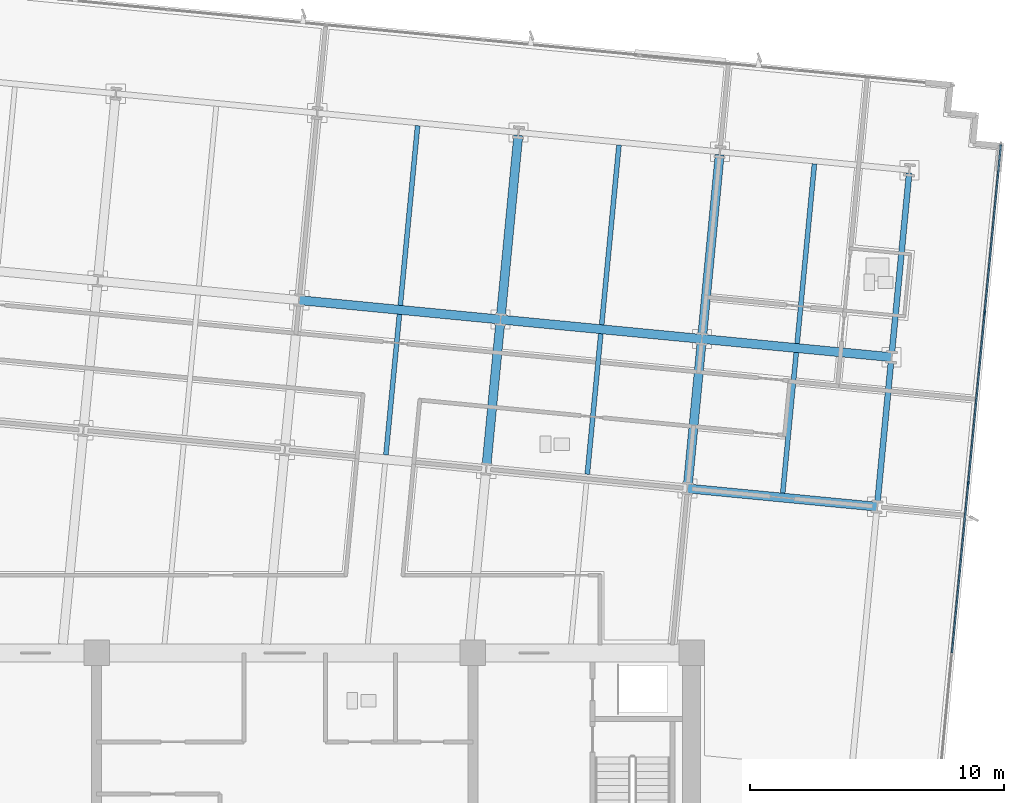
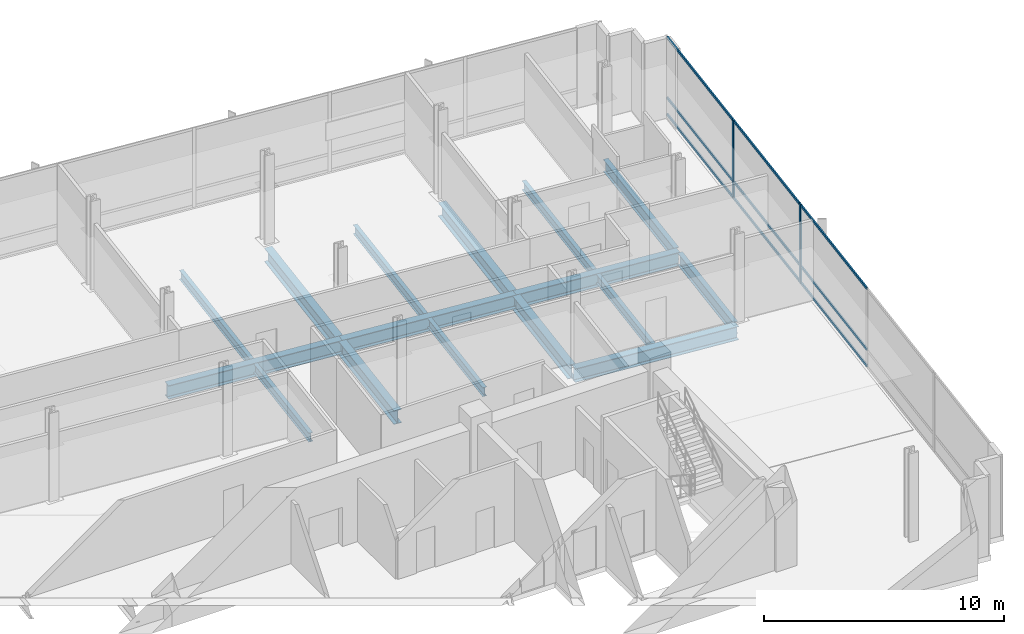
# One storey, part 7 of 17: 16 beams, 11 members, 1 element without a shape of its own.
"""IFC4 building model written with IfcOpenShell, lengths in metres."""

import ifcopenshell
import ifcopenshell.guid

model = None  # the IFC model being written
_history = None  # IfcOwnerHistory: only IFC2X3 demands one
_inside = {}  # id of a spatial element -> (the spatial element, [elements in it])
_under = {}  # id of a project, library or spatial element -> (it, [spatial elements below it])
_declared = {}  # id of a project -> (the project, [libraries it declares])
_typed = {}  # id of a type object -> (the type object, [elements of that type])
_made_of = {}  # id of a material, layer set ... -> (it, [elements and type objects made of it])


def new_model(schema):
    """Start an empty IFC model of exactly this schema.

    Asked for "IFC4X3", IfcOpenShell would pick the latest addendum, in which some entities
    have other attributes; the version numbers below select the first issue.
    IFC2X3 requires an IfcOwnerHistory on every rooted entity: one is made here for all.
    """
    global model, _history
    if schema == "IFC4X3":
        model = ifcopenshell.file(schema_version=(4, 3, 0, 0))
    else:
        model = ifcopenshell.file(schema=schema)
    _inside.clear()
    _under.clear()
    _declared.clear()
    _typed.clear()
    _made_of.clear()
    _history = None
    if model.schema == "IFC2X3":
        org = make("IfcOrganization", Name="unknown")
        user = make(
            "IfcPersonAndOrganization",
            ThePerson=make("IfcPerson", FamilyName="unknown"),
            TheOrganization=org,
        )
        app = make(
            "IfcApplication",
            ApplicationDeveloper=org,
            Version="unknown",
            ApplicationFullName="unknown",
            ApplicationIdentifier="unknown",
        )
        _history = make(
            "IfcOwnerHistory",
            OwningUser=user,
            OwningApplication=app,
            ChangeAction="ADDED",
            CreationDate=0,
        )
    return model


def make(cls, **values):
    """One entity of the class cls with the attributes given. An attribute that is None is left unset."""
    return model.create_entity(
        cls, **{name: value for name, value in values.items() if value is not None}
    )


def rooted(cls, **values):
    """An entity with a GlobalId (a new one), such as an element, a storey or a relation."""
    return make(cls, GlobalId=ifcopenshell.guid.new(), OwnerHistory=_history, **values)


def si_unit(unit_type, name, prefix=None):
    """IfcSIUnit, for example si_unit("LENGTHUNIT", "METRE", prefix="MILLI")."""
    return make("IfcSIUnit", UnitType=unit_type, Prefix=prefix, Name=name)


def assignment(units):
    """IfcUnitAssignment: the units of a project."""
    return None if units is None else make("IfcUnitAssignment", Units=units)


def point(xyz):
    """IfcCartesianPoint."""
    return None if xyz is None else make("IfcCartesianPoint", Coordinates=xyz)


def direction(xyz):
    """IfcDirection."""
    return None if xyz is None else make("IfcDirection", DirectionRatios=xyz)


def frame(location, z_axis=None, x_axis=None):
    """IfcAxis2Placement3D, a coordinate frame: its origin and axes. An axis left out is left unset."""
    return make(
        "IfcAxis2Placement3D",
        Location=point(location),
        Axis=direction(z_axis),
        RefDirection=direction(x_axis),
    )


def frame_2d(location, x_axis=None):
    """IfcAxis2Placement2D, a coordinate frame in the plane: its origin and x axis."""
    return make(
        "IfcAxis2Placement2D", Location=point(location), RefDirection=direction(x_axis)
    )


def origin():
    """The frame at (0, 0, 0) with its axes left unset."""
    return frame((0.0, 0.0, 0.0))


def origin_2d():
    """The frame at (0, 0) in the plane with its x axis left unset."""
    return frame_2d((0.0, 0.0))


def place(relative_to, where):
    """IfcLocalPlacement: puts the frame where relative to a parent placement (None: the world)."""
    return make(
        "IfcLocalPlacement", PlacementRelTo=relative_to, RelativePlacement=where
    )


def context(
    kind, dimensions, precision=None, world=None, true_north=None, identifier=None
):
    """IfcGeometricRepresentationContext, for example the 3D "Model" context."""
    return make(
        "IfcGeometricRepresentationContext",
        ContextIdentifier=identifier,
        ContextType=kind,
        CoordinateSpaceDimension=dimensions,
        Precision=precision,
        WorldCoordinateSystem=world,
        TrueNorth=true_north,
    )


def subcontext(parent, identifier, kind, view, scale=None):
    """IfcGeometricRepresentationSubContext, for example "Body" below "Model"."""
    return make(
        "IfcGeometricRepresentationSubContext",
        ContextIdentifier=identifier,
        ContextType=kind,
        ParentContext=parent,
        TargetScale=scale,
        TargetView=view,
    )


def project(units=None, contexts=None):
    """IfcProject with its units and contexts."""
    return rooted(
        "IfcProject",
        Name="project",
        RepresentationContexts=contexts,
        UnitsInContext=assignment(units),
    )


def spatial(cls, under=None, at=None, **own):
    """A site, building, storey or space (cls), placed at a placement, below another one or the project."""
    s = rooted(cls, ObjectPlacement=at, **own)
    if under is not None:
        _under.setdefault(under.id(), (under, []))[1].append(s)
    return s


def profile(cls, at=None, kind="AREA", **sizes):
    """A parametric profile (cls). Its sizes go by their IFC names, for example OverallWidth=200.0."""
    return make(cls, ProfileType=kind, Position=at, **sizes)


def rectangle(**sizes):
    """IfcRectangleProfileDef."""
    return profile("IfcRectangleProfileDef", **sizes)


def i_section(**sizes):
    """IfcIShapeProfileDef."""
    return profile("IfcIShapeProfileDef", **sizes)


def extrude(swept, where, along, depth):
    """IfcExtrudedAreaSolid: the profile swept, set in the frame where, extruded along a direction by depth."""
    return make(
        "IfcExtrudedAreaSolid",
        SweptArea=swept,
        Position=where,
        ExtrudedDirection=direction(along),
        Depth=depth,
    )


def shape(context_of_items, identifier, shape_type, items):
    """IfcShapeRepresentation: the items that make up one representation, for example the "Body"."""
    return make(
        "IfcShapeRepresentation",
        ContextOfItems=context_of_items,
        RepresentationIdentifier=identifier,
        RepresentationType=shape_type,
        Items=items,
    )


def material(Name=None, Category=None):
    """IfcMaterial."""
    return make("IfcMaterial", Name=Name, Category=Category)


def material_profile(
    of_material, cross_section, Name=None, Category=None, Priority=None
):
    """IfcMaterialProfile: a cross section and its material."""
    return make(
        "IfcMaterialProfile",
        Name=Name,
        Material=of_material,
        Profile=cross_section,
        Priority=Priority,
        Category=Category,
    )


def profile_set(profiles, Name=None, composite=None):
    """IfcMaterialProfileSet."""
    return make(
        "IfcMaterialProfileSet",
        Name=Name,
        MaterialProfiles=profiles,
        CompositeProfile=composite,
    )


def made_of(thing, what):
    """Note that an element or type object is made of a material, layer set ...; save() writes the relation."""
    if what is not None:
        _made_of.setdefault(what.id(), (what, []))[1].append(thing)
    return thing


def type_object(cls, material=None, **own):
    """A type object (cls), such as IfcWallType, which elements share."""
    return made_of(rooted(cls, **own), material)


def element(
    cls,
    number,
    at=None,
    inside=None,
    cuts=None,
    type_object=None,
    material=None,
    context=None,
    identifier="Body",
    shape_type=None,
    held_by="IfcProductDefinitionShape",
    body=None,
    shapes=None,
    **own,
):
    """One element of the class cls, such as IfcWall. Its Tag is "e" and its number.

    at: its placement. inside: the storey or other place that contains it. cuts: it is an
    opening in that element (IfcRelVoidsElement). A single representation is given by context,
    identifier, shape_type and body (its items); several are given by shapes. held_by: the class
    of the entity that holds the representations. save() writes the other relations.
    """
    e = rooted(cls, Tag="e%d" % number, ObjectPlacement=at, **own)
    if body is not None:
        shapes = [shape(context, identifier, shape_type, body)]
    if shapes is not None:
        e.Representation = make(held_by, Representations=shapes)
    if inside is not None:
        _inside.setdefault(inside.id(), (inside, []))[1].append(e)
    if cuts is not None:
        rooted(
            "IfcRelVoidsElement", RelatingBuildingElement=cuts, RelatedOpeningElement=e
        )
    if type_object is not None:
        _typed.setdefault(type_object.id(), (type_object, []))[1].append(e)
    return made_of(e, material)


def aggregate(whole, parts):
    """IfcRelAggregates: a whole, such as a stair, and the parts it consists of."""
    return rooted("IfcRelAggregates", RelatingObject=whole, RelatedObjects=parts)


def save(model, path):
    """Write the relations noted so far, then the file.

    IfcRelAggregates (storeys below a building ...), IfcRelContainedInSpatialStructure (elements
    in a storey), IfcRelDefinesByType, IfcRelAssociatesMaterial and IfcRelDeclares: one each for
    every whole, place, type object, material and project.
    """
    for whole, parts in _under.values():
        aggregate(whole, parts)
    for where, things in _inside.values():
        rooted(
            "IfcRelContainedInSpatialStructure",
            RelatedElements=things,
            RelatingStructure=where,
        )
    for kind, things in _typed.values():
        rooted("IfcRelDefinesByType", RelatedObjects=things, RelatingType=kind)
    for what, things in _made_of.values():
        rooted("IfcRelAssociatesMaterial", RelatedObjects=things, RelatingMaterial=what)
    for by, libraries in _declared.values():
        rooted("IfcRelDeclares", RelatingContext=by, RelatedDefinitions=libraries)
    model.write(path)


model = new_model("IFC4")

# Units and contexts
model_context = context("Model", 3, precision=1e-05, world=origin(), true_north=direction((0.0, 1.0)))
body_context = subcontext(model_context, "Body", "Model", "MODEL_VIEW")
ifc_project = project(units=[si_unit("LENGTHUNIT", "METRE"), si_unit("AREAUNIT", "SQUARE_METRE"), si_unit("VOLUMEUNIT", "CUBIC_METRE"), si_unit("PLANEANGLEUNIT", "RADIAN"), si_unit("MASSUNIT", "GRAM", prefix="KILO")], contexts=[model_context])

# Site, building, storey
site_placement = place(None, origin())
site = spatial("IfcSite", under=ifc_project, at=site_placement, CompositionType="ELEMENT")
building_placement = place(site_placement, origin())
building = spatial("IfcBuilding", under=site, at=building_placement, Name="Solmavex Isthmus Hotel", CompositionType="ELEMENT")
storey_placement = place(building_placement, frame((0.0, 0.0, 181.800048828125)))
storey = spatial("IfcBuildingStorey", under=building, at=storey_placement, Name="L49", CompositionType="ELEMENT", Elevation=181.800048828125)

# Beams
ifc_material_1 = material(Name="Steel ASTM A992 Grade 50", Category="steel")
ifc_material_profile_1 = material_profile(ifc_material_1, i_section(OverallWidth=0.354736328125, OverallDepth=0.695556640625, WebThickness=0.015380859375, FlangeThickness=0.02490234375, FilletRadius=0.017822265625, at=origin_2d()), Name="W27X146")
ifc_profile_set_1 = profile_set([ifc_material_profile_1], Name="Steel ASTM A992 Grade 50")
beam_type_1 = type_object("IfcBeamType", Name="BM-BG-W27X146", PredefinedType="BEAM", material=ifc_profile_set_1)
beam_1_placement = place(storey_placement, frame((15.840087890625, 3.96533203125, -0.60791015625), z_axis=(0.995394980007, -0.095858404835, 0.0), x_axis=(0.095858404835, 0.995394980007, 0.0)))
element("IfcBeam", 1, at=beam_1_placement, inside=storey, type_object=beam_type_1, Name="Floor Girder L49-UG08", PredefinedType="BEAM", context=body_context, shape_type="SweptSolid", body=[
    extrude(i_section(OverallWidth=0.354736328125, OverallDepth=0.695556640625, WebThickness=0.015380859375, FlangeThickness=0.02490234375, FilletRadius=0.017822265625, at=origin_2d()), origin(), (0.0, 0.0, 1.0), 7.48779296875),
])
beam_2_placement = place(storey_placement, frame((0.567626953125, 11.37109375, -0.60791015625), z_axis=(0.995397158178, -0.095835783981, 0.0), x_axis=(0.095835783981, 0.995397158178, 0.0)))
element("IfcBeam", 2, at=beam_2_placement, inside=storey, type_object=beam_type_1, Name="Floor Girder L49-UG12", PredefinedType="BEAM", context=body_context, shape_type="SweptSolid", body=[
    extrude(i_section(OverallWidth=0.354736328125, OverallDepth=0.695556640625, WebThickness=0.015380859375, FlangeThickness=0.02490234375, FilletRadius=0.017822265625, at=origin_2d()), origin(), (0.0, 0.0, 1.0), 7.955810546875),
])
beam_3_placement = place(storey_placement, frame((8.48681640625, 10.608642578125, -0.60791015625), z_axis=(0.995394512348, -0.095863260885, 0.0), x_axis=(0.095863260885, 0.995394512348, 0.0)))
element("IfcBeam", 3, at=beam_3_placement, inside=storey, type_object=beam_type_1, Name="Floor Girder L49-UG13", PredefinedType="BEAM", context=body_context, shape_type="SweptSolid", body=[
    extrude(i_section(OverallWidth=0.354736328125, OverallDepth=0.695556640625, WebThickness=0.015380859375, FlangeThickness=0.02490234375, FilletRadius=0.017822265625, at=origin_2d()), origin(), (0.0, 0.0, 1.0), 7.9560546875),
])
beam_4_placement = place(storey_placement, frame((16.40625, 9.845947265625, -0.60791015625), z_axis=(0.995398389938, -0.095822989454, 0.0), x_axis=(0.095822989454, 0.995398389938, 0.0)))
element("IfcBeam", 4, at=beam_4_placement, inside=storey, type_object=beam_type_1, Name="Floor Girder L49-UG14", PredefinedType="BEAM", context=body_context, shape_type="SweptSolid", body=[
    extrude(i_section(OverallWidth=0.354736328125, OverallDepth=0.695556640625, WebThickness=0.015380859375, FlangeThickness=0.02490234375, FilletRadius=0.017822265625, at=origin_2d()), origin(), (0.0, 0.0, 1.0), 7.488037109375),
])
beam_5_placement = place(storey_placement, frame((7.937744140625, 4.904296875, -0.60791015625), z_axis=(0.095842252862, 0.99539653534, 0.0), x_axis=(-0.99539653534, 0.095842252862, 0.0)))
element("IfcBeam", 5, at=beam_5_placement, inside=storey, type_object=beam_type_1, Name="Floor Beam L49-VG34", PredefinedType="BEAM", context=body_context, shape_type="SweptSolid", body=[
    extrude(i_section(OverallWidth=0.354736328125, OverallDepth=0.695556640625, WebThickness=0.015380859375, FlangeThickness=0.02490234375, FilletRadius=0.017822265625, at=origin_2d()), origin(), (0.0, 0.0, 1.0), 5.55322265625),
])
beam_6_placement = place(storey_placement, frame((8.50390625, 10.78515625, -0.60791015625), z_axis=(0.095842805175, 0.99539648216, 0.0), x_axis=(-0.99539648216, 0.095842805175, 0.0)))
element("IfcBeam", 6, at=beam_6_placement, inside=storey, type_object=beam_type_1, Name="Floor Beam L49-VG35", PredefinedType="BEAM", context=body_context, shape_type="SweptSolid", body=[
    extrude(i_section(OverallWidth=0.354736328125, OverallDepth=0.695556640625, WebThickness=0.015380859375, FlangeThickness=0.02490234375, FilletRadius=0.017822265625, at=origin_2d()), origin(), (0.0, 0.0, 1.0), 7.099365234375),
])
beam_7_placement = place(storey_placement, frame((15.85693359375, 4.141845703125, -0.60791015625), z_axis=(0.095842252862, 0.99539653534, 0.0), x_axis=(-0.99539653534, 0.095842252862, 0.0)))
element("IfcBeam", 7, at=beam_7_placement, inside=storey, type_object=beam_type_1, Name="Floor Beam L49-VG37", PredefinedType="BEAM", context=body_context, shape_type="SweptSolid", body=[
    extrude(i_section(OverallWidth=0.354736328125, OverallDepth=0.695556640625, WebThickness=0.015380859375, FlangeThickness=0.02490234375, FilletRadius=0.017822265625, at=origin_2d()), origin(), (0.0, 0.0, 1.0), 5.55322265625),
])
beam_8_placement = place(storey_placement, frame((16.42333984375, 10.022705078125, -0.60791015625), z_axis=(0.095842805175, 0.99539648216, 0.0), x_axis=(-0.99539648216, 0.095842805175, 0.0)))
element("IfcBeam", 8, at=beam_8_placement, inside=storey, type_object=beam_type_1, Name="Floor Beam L49-VG38", PredefinedType="BEAM", context=body_context, shape_type="SweptSolid", body=[
    extrude(i_section(OverallWidth=0.354736328125, OverallDepth=0.695556640625, WebThickness=0.015380859375, FlangeThickness=0.02490234375, FilletRadius=0.017822265625, at=origin_2d()), origin(), (0.0, 0.0, 1.0), 7.099365234375),
])
ifc_material_profile_2 = material_profile(ifc_material_1, i_section(OverallWidth=0.1904296875, OverallDepth=0.456787109375, WebThickness=0.009033203125, FlangeThickness=0.014404296875, FilletRadius=0.0126953125, at=origin_2d()), Name="W18X50")
ifc_profile_set_2 = profile_set([ifc_material_profile_2], Name="Steel ASTM A992 Grade 50")
beam_type_2 = type_object("IfcBeamType", Name="BM-BJ-W18X50", PredefinedType="JOIST", material=ifc_profile_set_2)
beam_9_placement = place(storey_placement, frame((3.97802734375, 5.28564453125, -0.488525390625), z_axis=(0.095842252862, 0.99539653534, 0.0), x_axis=(-0.99539653534, 0.095842252862, 0.0)))
element("IfcBeam", 9, at=beam_9_placement, inside=storey, type_object=beam_type_2, Name="Secondary Floor Joist L49-J11", PredefinedType="JOIST", context=body_context, shape_type="SweptSolid", body=[
    extrude(i_section(OverallWidth=0.1904296875, OverallDepth=0.456787109375, WebThickness=0.009033203125, FlangeThickness=0.014404296875, FilletRadius=0.0126953125, at=origin_2d()), origin(), (0.0, 0.0, 1.0), 5.55322265625),
])
beam_10_placement = place(storey_placement, frame((4.544189453125, 11.16650390625, -0.488525390625), z_axis=(0.095842805175, 0.99539648216, 0.0), x_axis=(-0.99539648216, 0.095842805175, 0.0)))
element("IfcBeam", 10, at=beam_10_placement, inside=storey, type_object=beam_type_2, Name="Secondary Floor Joist L49-J12", PredefinedType="JOIST", context=body_context, shape_type="SweptSolid", body=[
    extrude(i_section(OverallWidth=0.1904296875, OverallDepth=0.456787109375, WebThickness=0.009033203125, FlangeThickness=0.014404296875, FilletRadius=0.0126953125, at=origin_2d()), origin(), (0.0, 0.0, 1.0), 7.099365234375),
])
beam_11_placement = place(storey_placement, frame((11.8974609375, 4.523193359375, -0.488525390625), z_axis=(0.095842252862, 0.99539653534, 0.0), x_axis=(-0.99539653534, 0.095842252862, 0.0)))
element("IfcBeam", 11, at=beam_11_placement, inside=storey, type_object=beam_type_2, Name="Secondary Floor Joist L49-J14", PredefinedType="JOIST", context=body_context, shape_type="SweptSolid", body=[
    extrude(i_section(OverallWidth=0.1904296875, OverallDepth=0.456787109375, WebThickness=0.009033203125, FlangeThickness=0.014404296875, FilletRadius=0.0126953125, at=origin_2d()), origin(), (0.0, 0.0, 1.0), 5.55322265625),
])
beam_12_placement = place(storey_placement, frame((12.463623046875, 10.40380859375, -0.488525390625), z_axis=(0.095839524498, 0.995396798038, 0.0), x_axis=(-0.995396798038, 0.095839524498, 0.0)))
element("IfcBeam", 12, at=beam_12_placement, inside=storey, type_object=beam_type_2, Name="Secondary Floor Joist L49-J15", PredefinedType="JOIST", context=body_context, shape_type="SweptSolid", body=[
    extrude(i_section(OverallWidth=0.1904296875, OverallDepth=0.456787109375, WebThickness=0.009033203125, FlangeThickness=0.014404296875, FilletRadius=0.0126953125, at=origin_2d()), origin(), (0.0, 0.0, 1.0), 7.099609375),
])
beam_13_placement = place(storey_placement, frame((19.583740234375, 3.782958984375, -0.488525390625), z_axis=(0.095842252862, 0.99539653534, 0.0), x_axis=(-0.99539653534, 0.095842252862, 0.0)))
element("IfcBeam", 13, at=beam_13_placement, inside=storey, type_object=beam_type_2, Name="Secondary Floor Joist L49-J16", PredefinedType="JOIST", context=body_context, shape_type="SweptSolid", body=[
    extrude(i_section(OverallWidth=0.1904296875, OverallDepth=0.456787109375, WebThickness=0.009033203125, FlangeThickness=0.014404296875, FilletRadius=0.0126953125, at=origin_2d()), origin(), (0.0, 0.0, 1.0), 5.55322265625),
])
beam_14_placement = place(storey_placement, frame((20.150146484375, 9.663818359375, -0.488525390625), z_axis=(0.095842805175, 0.99539648216, 0.0), x_axis=(-0.99539648216, 0.095842805175, 0.0)))
element("IfcBeam", 14, at=beam_14_placement, inside=storey, type_object=beam_type_2, Name="Secondary Floor Joist L49-J17", PredefinedType="JOIST", context=body_context, shape_type="SweptSolid", body=[
    extrude(i_section(OverallWidth=0.1904296875, OverallDepth=0.456787109375, WebThickness=0.009033203125, FlangeThickness=0.014404296875, FilletRadius=0.0126953125, at=origin_2d()), origin(), (0.0, 0.0, 1.0), 7.099365234375),
])
ifc_material_profile_3 = material_profile(ifc_material_1, i_section(OverallWidth=0.230224609375, OverallDepth=0.617431640625, WebThickness=0.01318359375, FlangeThickness=0.022216796875, FilletRadius=0.01513671875, at=origin_2d()), Name="W24X94")
ifc_profile_set_3 = profile_set([ifc_material_profile_3], Name="Steel ASTM A992 Grade 50")
beam_type_3 = type_object("IfcBeamType", Name="BM-SP-W24X94", PredefinedType="SPANDREL", material=ifc_profile_set_3)
beam_15_placement = place(storey_placement, frame((23.310546875, 3.424072265625, -0.56884765625), z_axis=(0.095842252862, 0.99539653534, 0.0), x_axis=(-0.99539653534, 0.095842252862, 0.0)))
element("IfcBeam", 15, at=beam_15_placement, inside=storey, type_object=beam_type_3, Name="Floor Beam L49-VG40", PredefinedType="SPANDREL", context=body_context, shape_type="SweptSolid", body=[
    extrude(i_section(OverallWidth=0.230224609375, OverallDepth=0.617431640625, WebThickness=0.01318359375, FlangeThickness=0.022216796875, FilletRadius=0.01513671875, at=origin_2d()), origin(), (0.0, 0.0, 1.0), 5.55322265625),
])
beam_16_placement = place(storey_placement, frame((23.876708984375, 9.304931640625, -0.56884765625), z_axis=(0.09587687835, 0.9953932008, 0.0), x_axis=(-0.9953932008, 0.09587687835, 0.0)))
element("IfcBeam", 16, at=beam_16_placement, inside=storey, type_object=beam_type_3, Name="Floor Beam L49-VG41", PredefinedType="SPANDREL", context=body_context, shape_type="SweptSolid", body=[
    extrude(i_section(OverallWidth=0.230224609375, OverallDepth=0.617431640625, WebThickness=0.01318359375, FlangeThickness=0.022216796875, FilletRadius=0.01513671875, at=origin_2d()), origin(), (0.0, 0.0, 1.0), 7.099365234375),
])

# Curtain wall, members
ifc_material_2 = material(Name="Aluminium alloy 6063-T6", Category="aluminium")
curtain_wall_type = type_object("IfcCurtainWallType", Name="CW-SYS-05", PredefinedType="NOTDEFINED", material=ifc_material_2)
curtain_wall_placement = place(storey_placement, origin())
curtain_wall = element("IfcCurtainWall", 17, at=curtain_wall_placement, inside=storey, type_object=curtain_wall_type, Name="Stick Curtain Wall CWL-L49-E1", PredefinedType="NOTDEFINED")
ifc_material_profile_4 = material_profile(ifc_material_2, rectangle(XDim=0.06494140625, YDim=0.159912109375, at=origin_2d()), Name="CWM-65X160")
ifc_profile_set_4 = profile_set([ifc_material_profile_4], Name="Aluminium alloy 6063-T6")
member_type_1 = type_object("IfcMemberType", Name="CW-SYS-05-MUL", PredefinedType="MULLION", material=ifc_profile_set_4)
member_1_placement = place(storey_placement, frame((26.878173828125, 4.168212890625, 0.0), z_axis=(0.0, 0.0, 1.0), x_axis=(-0.995396190038, 0.09584583902, 0.0)))
member_1 = element("IfcMember", 18, at=member_1_placement, type_object=member_type_1, Name="CW-05 mullion 4", PredefinedType="MULLION", context=body_context, shape_type="SweptSolid", body=[
    extrude(rectangle(XDim=0.06494140625, YDim=0.159912109375, at=origin_2d()), origin(), (0.0, 0.0, 1.0), 4.050048828125),
])
member_2_placement = place(storey_placement, frame((27.5224609375, 10.857177734375, 0.0), z_axis=(0.0, 0.0, 1.0), x_axis=(-0.995396190038, 0.09584583902, 0.0)))
member_2 = element("IfcMember", 19, at=member_2_placement, type_object=member_type_1, Name="CW-05 mullion 5", PredefinedType="MULLION", context=body_context, shape_type="SweptSolid", body=[
    extrude(rectangle(XDim=0.06494140625, YDim=0.159912109375, at=origin_2d()), origin(), (0.0, 0.0, 1.0), 4.050048828125),
])
ifc_material_profile_5 = material_profile(ifc_material_2, rectangle(XDim=0.06494140625, YDim=0.125, at=origin_2d()), Name="CWT-65X125")
ifc_profile_set_5 = profile_set([ifc_material_profile_5], Name="Aluminium alloy 6063-T6")
member_type_2 = type_object("IfcMemberType", Name="CW-SYS-05-TRN", PredefinedType="USERDEFINED", material=ifc_profile_set_5)
member_3_placement = place(storey_placement, frame((26.2373046875, -2.488525390625, 0.0625), z_axis=(0.095859901454, 0.995394835878, 0.0), x_axis=(-0.995394835878, 0.095859901454, 0.0)))
member_3 = element("IfcMember", 20, at=member_3_placement, type_object=member_type_2, Name="CW-05 transom 3.1", ObjectType="TRANSOM", PredefinedType="USERDEFINED", context=body_context, shape_type="SweptSolid", body=[
    extrude(rectangle(XDim=0.06494140625, YDim=0.125, at=origin_2d()), origin(), (0.0, 0.0, 1.0), 6.655029296875),
])
member_4_placement = place(storey_placement, frame((26.2373046875, -2.488525390625, 0.89990234375), z_axis=(0.095859901454, 0.995394835878, 0.0), x_axis=(-0.995394835878, 0.095859901454, 0.0)))
member_4 = element("IfcMember", 21, at=member_4_placement, type_object=member_type_2, Name="CW-05 transom 3.2", ObjectType="TRANSOM", PredefinedType="USERDEFINED", context=body_context, shape_type="SweptSolid", body=[
    extrude(rectangle(XDim=0.06494140625, YDim=0.125, at=origin_2d()), origin(), (0.0, 0.0, 1.0), 6.655029296875),
])
member_5_placement = place(storey_placement, frame((26.2373046875, -2.488525390625, 3.987548828125), z_axis=(0.095859901454, 0.995394835878, 0.0), x_axis=(-0.995394835878, 0.095859901454, 0.0)))
member_5 = element("IfcMember", 22, at=member_5_placement, type_object=member_type_2, Name="CW-05 transom 3.3", ObjectType="TRANSOM", PredefinedType="USERDEFINED", context=body_context, shape_type="SweptSolid", body=[
    extrude(rectangle(XDim=0.06494140625, YDim=0.125, at=origin_2d()), origin(), (0.0, 0.0, 1.0), 6.655029296875),
])
member_6_placement = place(storey_placement, frame((26.88134765625, 4.200439453125, 0.0625), z_axis=(0.095856401082, 0.99539517297, 0.0), x_axis=(-0.99539517297, 0.095856401082, 0.0)))
member_6 = element("IfcMember", 23, at=member_6_placement, type_object=member_type_2, Name="CW-05 transom 4.1", ObjectType="TRANSOM", PredefinedType="USERDEFINED", context=body_context, shape_type="SweptSolid", body=[
    extrude(rectangle(XDim=0.06494140625, YDim=0.125, at=origin_2d()), origin(), (0.0, 0.0, 1.0), 6.6552734375),
])
member_7_placement = place(storey_placement, frame((26.88134765625, 4.200439453125, 0.89990234375), z_axis=(0.095856401082, 0.99539517297, 0.0), x_axis=(-0.99539517297, 0.095856401082, 0.0)))
member_7 = element("IfcMember", 24, at=member_7_placement, type_object=member_type_2, Name="CW-05 transom 4.2", ObjectType="TRANSOM", PredefinedType="USERDEFINED", context=body_context, shape_type="SweptSolid", body=[
    extrude(rectangle(XDim=0.06494140625, YDim=0.125, at=origin_2d()), origin(), (0.0, 0.0, 1.0), 6.6552734375),
])
member_8_placement = place(storey_placement, frame((26.88134765625, 4.200439453125, 3.987548828125), z_axis=(0.095856401082, 0.99539517297, 0.0), x_axis=(-0.99539517297, 0.095856401082, 0.0)))
member_8 = element("IfcMember", 25, at=member_8_placement, type_object=member_type_2, Name="CW-05 transom 4.3", ObjectType="TRANSOM", PredefinedType="USERDEFINED", context=body_context, shape_type="SweptSolid", body=[
    extrude(rectangle(XDim=0.06494140625, YDim=0.125, at=origin_2d()), origin(), (0.0, 0.0, 1.0), 6.6552734375),
])
member_9_placement = place(storey_placement, frame((27.525390625, 10.8896484375, 0.0625), z_axis=(0.095849383604, 0.995395848727, 0.0), x_axis=(-0.995395848727, 0.095849383604, 0.0)))
member_9 = element("IfcMember", 26, at=member_9_placement, type_object=member_type_2, Name="CW-05 transom 5.1", ObjectType="TRANSOM", PredefinedType="USERDEFINED", context=body_context, shape_type="SweptSolid", body=[
    extrude(rectangle(XDim=0.06494140625, YDim=0.125, at=origin_2d()), origin(), (0.0, 0.0, 1.0), 6.62255859375),
])
member_10_placement = place(storey_placement, frame((27.525390625, 10.8896484375, 0.89990234375), z_axis=(0.095849383604, 0.995395848727, 0.0), x_axis=(-0.995395848727, 0.095849383604, 0.0)))
member_10 = element("IfcMember", 27, at=member_10_placement, type_object=member_type_2, Name="CW-05 transom 5.2", ObjectType="TRANSOM", PredefinedType="USERDEFINED", context=body_context, shape_type="SweptSolid", body=[
    extrude(rectangle(XDim=0.06494140625, YDim=0.125, at=origin_2d()), origin(), (0.0, 0.0, 1.0), 6.62255859375),
])
member_11_placement = place(storey_placement, frame((27.525390625, 10.8896484375, 3.987548828125), z_axis=(0.095849383604, 0.995395848727, 0.0), x_axis=(-0.995395848727, 0.095849383604, 0.0)))
member_11 = element("IfcMember", 28, at=member_11_placement, type_object=member_type_2, Name="CW-05 transom 5.3", ObjectType="TRANSOM", PredefinedType="USERDEFINED", context=body_context, shape_type="SweptSolid", body=[
    extrude(rectangle(XDim=0.06494140625, YDim=0.125, at=origin_2d()), origin(), (0.0, 0.0, 1.0), 6.62255859375),
])
aggregate(curtain_wall, [member_1, member_2, member_3, member_4, member_5, member_6, member_7, member_8, member_9, member_10, member_11])

save(model, "model.ifc")
